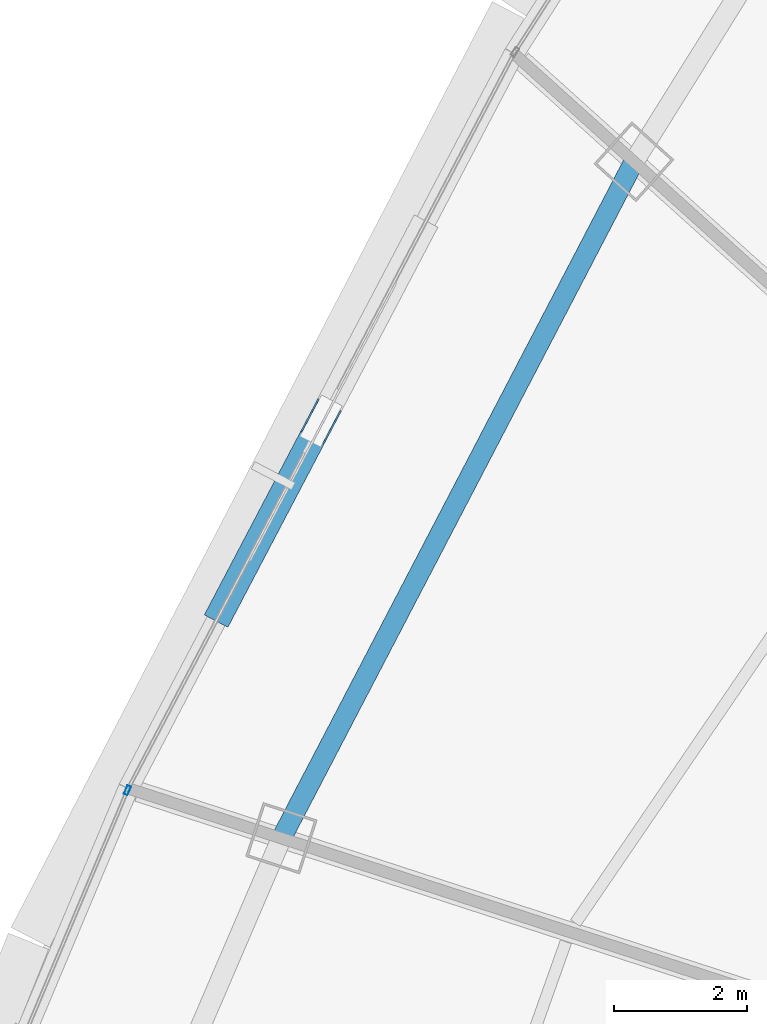
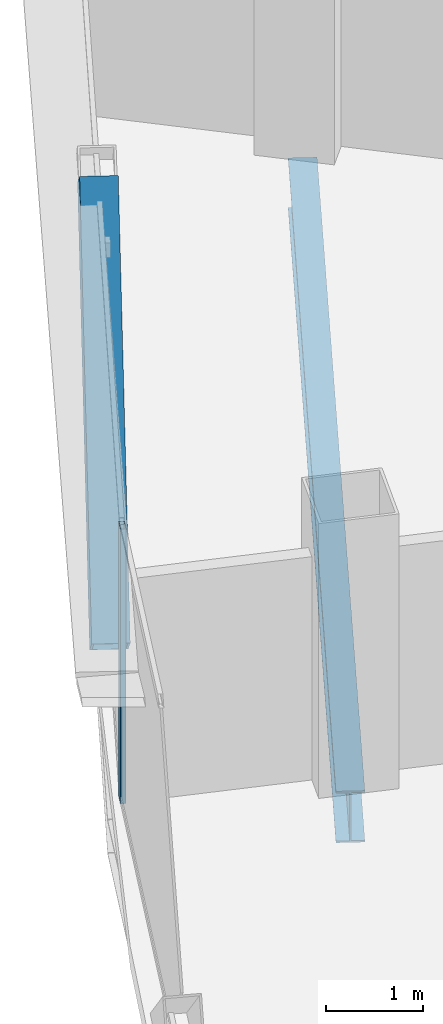
# One storey, part 8 of 36: 2 members, 1 beam, 1 element without a shape of its own.
"""IFC4 building model written with IfcOpenShell, lengths in metres."""

from ifc_helpers import new_model, si_unit, direction, frame, origin, origin_2d, place, context, subcontext, project, spatial, hollow_rectangle, i_section, extrude, source, transform, mapped, material, layer, layer_set, material_profile, profile_set, type_object, element, aggregate, save


model = new_model("IFC4")

# Units and contexts
model_context = context("Model", 3, precision=1e-05, world=origin(), true_north=direction((0.0, 1.0)))
body_context = subcontext(model_context, "Body", "Model", "MODEL_VIEW")
ifc_project = project(units=[si_unit("LENGTHUNIT", "METRE"), si_unit("AREAUNIT", "SQUARE_METRE"), si_unit("VOLUMEUNIT", "CUBIC_METRE"), si_unit("PLANEANGLEUNIT", "RADIAN"), si_unit("MASSUNIT", "GRAM", prefix="KILO"), si_unit("THERMODYNAMICTEMPERATUREUNIT", "KELVIN"), si_unit("POWERUNIT", "WATT")], contexts=[model_context])

# Site, building, storey
site_placement = place(None, origin())
site = spatial("IfcSite", under=ifc_project, at=site_placement, CompositionType="ELEMENT")
building_placement = place(site_placement, origin())
building = spatial("IfcBuilding", under=site, at=building_placement, Name="Yunzhuo Pagoda Commons", CompositionType="ELEMENT")
storey_placement = place(building_placement, frame((0.0, 0.0, 244.530029296875)))
storey = spatial("IfcBuildingStorey", under=building, at=storey_placement, Name="L61", CompositionType="ELEMENT", Elevation=244.530029296875)

# Beam
ifc_material_1 = material(Name="Structural steel Q355B", Category="steel")
ifc_material_profile_1 = material_profile(ifc_material_1, i_section(OverallWidth=0.300048828125, OverallDepth=0.64990234375, WebThickness=0.012939453125, FlangeThickness=0.02197265625, at=origin_2d()), Name="Structural steel Q355B")
ifc_profile_set_1 = profile_set([ifc_material_profile_1], Name="Structural steel Q355B")
beam_type = type_object("IfcBeamType", Name="B-RG2 Beam HN 650x300x13x22", PredefinedType="BEAM", material=ifc_profile_set_1)
shared_shape_1 = source(origin(), body_context, "Body", "SweptSolid", [
    extrude(i_section(OverallWidth=0.300048828125, OverallDepth=0.64990234375, WebThickness=0.012939453125, FlangeThickness=0.02197265625, at=origin_2d()), origin(), (0.0, 0.0, 1.0), 11.43896484375),
])
beam_placement = place(storey_placement, frame((27.38818359375, 52.259033203125, -0.5849609375), z_axis=(-0.462142168026, -0.886805850529, 0.0), x_axis=(0.886805850529, -0.462142168026, 0.0)))
element("IfcBeam", 1, at=beam_placement, inside=storey, type_object=beam_type, Name="L61 column-ring beam 10", PredefinedType="BEAM", context=body_context, shape_type="MappedRepresentation", body=[
    mapped(shared_shape_1, transform((0.0, 0.0, 0.0), scale=1.0)),
])

# Member
ifc_material_profile_2 = material_profile(ifc_material_1, hollow_rectangle(XDim=0.39990234375, YDim=0.719970703125, WallThickness=0.02392578125, at=origin_2d()), Name="Structural steel Q355B")
ifc_profile_set_2 = profile_set([ifc_material_profile_2], Name="Structural steel Q355B")
member_type_1 = type_object("IfcMemberType", Name="M-DL2 Brace BOX 720x400x24", PredefinedType="BRACE", material=ifc_profile_set_2)
shared_shape_2 = source(origin(), body_context, "Body", "SweptSolid", [
    extrude(hollow_rectangle(XDim=0.39990234375, YDim=0.719970703125, WallThickness=0.02392578125, at=origin_2d()), origin(), (0.0, 0.0, 1.0), 4.85693359375),
])
member_1_placement = place(storey_placement, frame((21.25048828125, 45.61572265625, -0.259765625), z_axis=(0.297726637572, 0.567153410725, 0.767916569676), x_axis=(-0.885416472783, 0.46479852595, 0.0)))
element("IfcMember", 2, at=member_1_placement, inside=storey, type_object=member_type_1, Name="L61 facade diamond brace F3.2R", PredefinedType="BRACE", context=body_context, shape_type="MappedRepresentation", body=[
    mapped(shared_shape_2, transform((0.0, 0.0, 0.0), scale=1.0)),
])

# Curtain wall, member
ifc_material_2 = material(Name="Anodized aluminium 6063-T6", Category="aluminium")
ifc_layer = layer(ifc_material_2, 0.139892578125)
ifc_layer_set = layer_set([ifc_layer], Name="Anodized aluminium 6063-T6")
curtain_wall_type = type_object("IfcCurtainWallType", Name="CW-HI High-Zone Ribbon Curtain Wall", PredefinedType="NOTDEFINED", material=ifc_layer_set)
curtain_wall_placement = place(storey_placement, origin())
curtain_wall = element("IfcCurtainWall", 3, at=curtain_wall_placement, inside=storey, type_object=curtain_wall_type, Name="L61 curtain wall CW-L61-F3B4", PredefinedType="NOTDEFINED")
ifc_material_profile_3 = material_profile(ifc_material_2, hollow_rectangle(XDim=0.06005859375, YDim=0.139892578125, WallThickness=0.00341796875, at=origin_2d()), Name="Anodized aluminium 6063-T6")
ifc_profile_set_3 = profile_set([ifc_material_profile_3], Name="Anodized aluminium 6063-T6")
member_type_2 = type_object("IfcMemberType", Name="CW-HI-M Mullion RHS 140x60x3.5", PredefinedType="MULLION", material=ifc_profile_set_3)
shared_shape_3 = source(origin(), body_context, "Body", "SweptSolid", [
    extrude(hollow_rectangle(XDim=0.06005859375, YDim=0.139892578125, WallThickness=0.00341796875, at=origin_2d()), origin(), (0.0, 0.0, 1.0), 3.469970703125),
])
member_2_placement = place(storey_placement, frame((19.79296875, 42.83349609375, 0.0), z_axis=(0.0, 0.0, 1.0), x_axis=(0.922008372235, -0.387169938824, 0.0)))
member_2 = element("IfcMember", 4, at=member_2_placement, type_object=member_type_2, Name="CW mullion 1", PredefinedType="MULLION", context=body_context, shape_type="MappedRepresentation", body=[
    mapped(shared_shape_3, transform((0.0, 0.0, 0.0), scale=1.0)),
])
aggregate(curtain_wall, [member_2])

save(model, "model.ifc")
